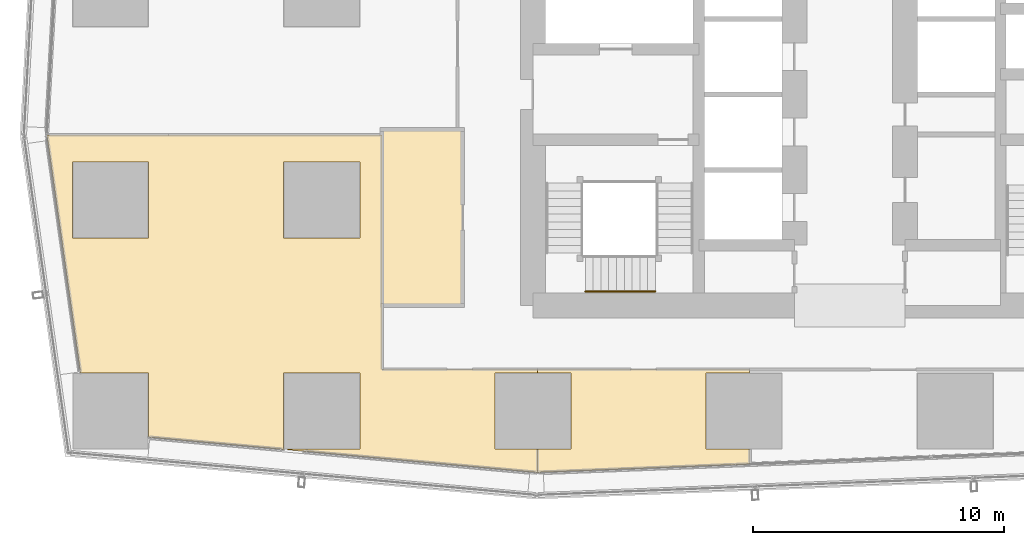
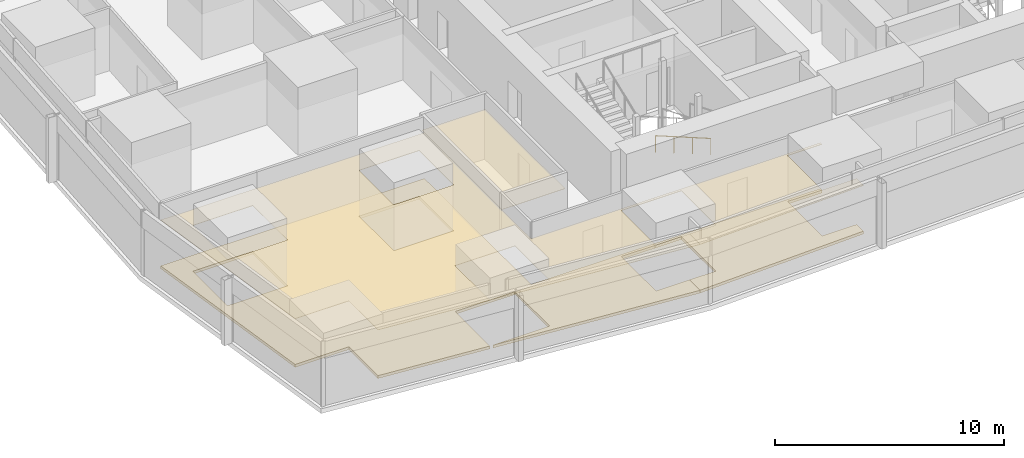
# One storey, part 33 of 39: 5 coverings, 1 railing.
"""IFC4 building model written with IfcOpenShell, lengths in metres."""

import ifcopenshell
import ifcopenshell.guid

model = None  # the IFC model being written
_history = None  # IfcOwnerHistory: only IFC2X3 demands one
_inside = {}  # id of a spatial element -> (the spatial element, [elements in it])
_under = {}  # id of a project, library or spatial element -> (it, [spatial elements below it])
_declared = {}  # id of a project -> (the project, [libraries it declares])
_typed = {}  # id of a type object -> (the type object, [elements of that type])
_made_of = {}  # id of a material, layer set ... -> (it, [elements and type objects made of it])


def new_model(schema):
    """Start an empty IFC model of exactly this schema.

    Asked for "IFC4X3", IfcOpenShell would pick the latest addendum, in which some entities
    have other attributes; the version numbers below select the first issue.
    IFC2X3 requires an IfcOwnerHistory on every rooted entity: one is made here for all.
    """
    global model, _history
    if schema == "IFC4X3":
        model = ifcopenshell.file(schema_version=(4, 3, 0, 0))
    else:
        model = ifcopenshell.file(schema=schema)
    _inside.clear()
    _under.clear()
    _declared.clear()
    _typed.clear()
    _made_of.clear()
    _history = None
    if model.schema == "IFC2X3":
        org = make("IfcOrganization", Name="unknown")
        user = make(
            "IfcPersonAndOrganization",
            ThePerson=make("IfcPerson", FamilyName="unknown"),
            TheOrganization=org,
        )
        app = make(
            "IfcApplication",
            ApplicationDeveloper=org,
            Version="unknown",
            ApplicationFullName="unknown",
            ApplicationIdentifier="unknown",
        )
        _history = make(
            "IfcOwnerHistory",
            OwningUser=user,
            OwningApplication=app,
            ChangeAction="ADDED",
            CreationDate=0,
        )
    return model


def make(cls, **values):
    """One entity of the class cls with the attributes given. An attribute that is None is left unset."""
    return model.create_entity(
        cls, **{name: value for name, value in values.items() if value is not None}
    )


def rooted(cls, **values):
    """An entity with a GlobalId (a new one), such as an element, a storey or a relation."""
    return make(cls, GlobalId=ifcopenshell.guid.new(), OwnerHistory=_history, **values)


def si_unit(unit_type, name, prefix=None):
    """IfcSIUnit, for example si_unit("LENGTHUNIT", "METRE", prefix="MILLI")."""
    return make("IfcSIUnit", UnitType=unit_type, Prefix=prefix, Name=name)


def assignment(units):
    """IfcUnitAssignment: the units of a project."""
    return None if units is None else make("IfcUnitAssignment", Units=units)


def point(xyz):
    """IfcCartesianPoint."""
    return None if xyz is None else make("IfcCartesianPoint", Coordinates=xyz)


def direction(xyz):
    """IfcDirection."""
    return None if xyz is None else make("IfcDirection", DirectionRatios=xyz)


def frame(location, z_axis=None, x_axis=None):
    """IfcAxis2Placement3D, a coordinate frame: its origin and axes. An axis left out is left unset."""
    return make(
        "IfcAxis2Placement3D",
        Location=point(location),
        Axis=direction(z_axis),
        RefDirection=direction(x_axis),
    )


def frame_2d(location, x_axis=None):
    """IfcAxis2Placement2D, a coordinate frame in the plane: its origin and x axis."""
    return make(
        "IfcAxis2Placement2D", Location=point(location), RefDirection=direction(x_axis)
    )


def origin():
    """The frame at (0, 0, 0) with its axes left unset."""
    return frame((0.0, 0.0, 0.0))


def origin_2d():
    """The frame at (0, 0) in the plane with its x axis left unset."""
    return frame_2d((0.0, 0.0))


def place(relative_to, where):
    """IfcLocalPlacement: puts the frame where relative to a parent placement (None: the world)."""
    return make(
        "IfcLocalPlacement", PlacementRelTo=relative_to, RelativePlacement=where
    )


def context(
    kind, dimensions, precision=None, world=None, true_north=None, identifier=None
):
    """IfcGeometricRepresentationContext, for example the 3D "Model" context."""
    return make(
        "IfcGeometricRepresentationContext",
        ContextIdentifier=identifier,
        ContextType=kind,
        CoordinateSpaceDimension=dimensions,
        Precision=precision,
        WorldCoordinateSystem=world,
        TrueNorth=true_north,
    )


def subcontext(parent, identifier, kind, view, scale=None):
    """IfcGeometricRepresentationSubContext, for example "Body" below "Model"."""
    return make(
        "IfcGeometricRepresentationSubContext",
        ContextIdentifier=identifier,
        ContextType=kind,
        ParentContext=parent,
        TargetScale=scale,
        TargetView=view,
    )


def project(units=None, contexts=None):
    """IfcProject with its units and contexts."""
    return rooted(
        "IfcProject",
        Name="project",
        RepresentationContexts=contexts,
        UnitsInContext=assignment(units),
    )


def spatial(cls, under=None, at=None, **own):
    """A site, building, storey or space (cls), placed at a placement, below another one or the project."""
    s = rooted(cls, ObjectPlacement=at, **own)
    if under is not None:
        _under.setdefault(under.id(), (under, []))[1].append(s)
    return s


def polyline(points):
    """IfcPolyline through the points."""
    return make("IfcPolyline", Points=[point(p) for p in points])


def profile(cls, at=None, kind="AREA", **sizes):
    """A parametric profile (cls). Its sizes go by their IFC names, for example OverallWidth=200.0."""
    return make(cls, ProfileType=kind, Position=at, **sizes)


def circle(**sizes):
    """IfcCircleProfileDef."""
    return profile("IfcCircleProfileDef", **sizes)


def outline(outer, holes=None, kind="AREA"):
    """IfcArbitraryClosedProfileDef: a profile drawn as a closed curve; with holes, ...WithVoids."""
    if holes is None:
        return make("IfcArbitraryClosedProfileDef", ProfileType=kind, OuterCurve=outer)
    return make(
        "IfcArbitraryProfileDefWithVoids",
        ProfileType=kind,
        OuterCurve=outer,
        InnerCurves=holes,
    )


def extrude(swept, where, along, depth):
    """IfcExtrudedAreaSolid: the profile swept, set in the frame where, extruded along a direction by depth."""
    return make(
        "IfcExtrudedAreaSolid",
        SweptArea=swept,
        Position=where,
        ExtrudedDirection=direction(along),
        Depth=depth,
    )


def shape(context_of_items, identifier, shape_type, items):
    """IfcShapeRepresentation: the items that make up one representation, for example the "Body"."""
    return make(
        "IfcShapeRepresentation",
        ContextOfItems=context_of_items,
        RepresentationIdentifier=identifier,
        RepresentationType=shape_type,
        Items=items,
    )


def material(Name=None, Category=None):
    """IfcMaterial."""
    return make("IfcMaterial", Name=Name, Category=Category)


def layer(
    of_material, thickness, ventilated=None, Name=None, Category=None, Priority=None
):
    """IfcMaterialLayer: one layer of a wall or slab, of a material (None: an air gap)."""
    return make(
        "IfcMaterialLayer",
        Material=of_material,
        LayerThickness=thickness,
        IsVentilated=ventilated,
        Name=Name,
        Category=Category,
        Priority=Priority,
    )


def layer_set(layers, Name=None):
    """IfcMaterialLayerSet."""
    return make("IfcMaterialLayerSet", MaterialLayers=layers, LayerSetName=Name)


def made_of(thing, what):
    """Note that an element or type object is made of a material, layer set ...; save() writes the relation."""
    if what is not None:
        _made_of.setdefault(what.id(), (what, []))[1].append(thing)
    return thing


def type_object(cls, material=None, **own):
    """A type object (cls), such as IfcWallType, which elements share."""
    return made_of(rooted(cls, **own), material)


def element(
    cls,
    number,
    at=None,
    inside=None,
    cuts=None,
    type_object=None,
    material=None,
    context=None,
    identifier="Body",
    shape_type=None,
    held_by="IfcProductDefinitionShape",
    body=None,
    shapes=None,
    **own,
):
    """One element of the class cls, such as IfcWall. Its Tag is "e" and its number.

    at: its placement. inside: the storey or other place that contains it. cuts: it is an
    opening in that element (IfcRelVoidsElement). A single representation is given by context,
    identifier, shape_type and body (its items); several are given by shapes. held_by: the class
    of the entity that holds the representations. save() writes the other relations.
    """
    e = rooted(cls, Tag="e%d" % number, ObjectPlacement=at, **own)
    if body is not None:
        shapes = [shape(context, identifier, shape_type, body)]
    if shapes is not None:
        e.Representation = make(held_by, Representations=shapes)
    if inside is not None:
        _inside.setdefault(inside.id(), (inside, []))[1].append(e)
    if cuts is not None:
        rooted(
            "IfcRelVoidsElement", RelatingBuildingElement=cuts, RelatedOpeningElement=e
        )
    if type_object is not None:
        _typed.setdefault(type_object.id(), (type_object, []))[1].append(e)
    return made_of(e, material)


def aggregate(whole, parts):
    """IfcRelAggregates: a whole, such as a stair, and the parts it consists of."""
    return rooted("IfcRelAggregates", RelatingObject=whole, RelatedObjects=parts)


def save(model, path):
    """Write the relations noted so far, then the file.

    IfcRelAggregates (storeys below a building ...), IfcRelContainedInSpatialStructure (elements
    in a storey), IfcRelDefinesByType, IfcRelAssociatesMaterial and IfcRelDeclares: one each for
    every whole, place, type object, material and project.
    """
    for whole, parts in _under.values():
        aggregate(whole, parts)
    for where, things in _inside.values():
        rooted(
            "IfcRelContainedInSpatialStructure",
            RelatedElements=things,
            RelatingStructure=where,
        )
    for kind, things in _typed.values():
        rooted("IfcRelDefinesByType", RelatedObjects=things, RelatingType=kind)
    for what, things in _made_of.values():
        rooted("IfcRelAssociatesMaterial", RelatedObjects=things, RelatingMaterial=what)
    for by, libraries in _declared.values():
        rooted("IfcRelDeclares", RelatingContext=by, RelatedDefinitions=libraries)
    model.write(path)


model = new_model("IFC4")

# Units and contexts
model_context = context("Model", 3, precision=1e-05, world=origin(), true_north=direction((0.0, 1.0)))
body_context = subcontext(model_context, "Body", "Model", "MODEL_VIEW")
ifc_project = project(units=[si_unit("LENGTHUNIT", "METRE"), si_unit("AREAUNIT", "SQUARE_METRE"), si_unit("VOLUMEUNIT", "CUBIC_METRE"), si_unit("PLANEANGLEUNIT", "RADIAN"), si_unit("MASSUNIT", "GRAM", prefix="KILO")], contexts=[model_context])

# Site, building, storey
site_placement = place(None, origin())
site = spatial("IfcSite", under=ifc_project, at=site_placement, CompositionType="ELEMENT")
building_placement = place(site_placement, origin())
building = spatial("IfcBuilding", under=site, at=building_placement, Name="Rekha Terrace Tower", CompositionType="ELEMENT")
storey_placement = place(building_placement, frame((0.0, 0.0, 155.300048828125)))
storey = spatial("IfcBuildingStorey", under=building, at=storey_placement, Name="L39", CompositionType="ELEMENT", Elevation=155.300048828125)

# Coverings
ifc_material_1 = material(Name="Mineral fibre tile in exposed grid", Category="finish")
ifc_layer_1 = layer(ifc_material_1, 0.02001953125)
ifc_layer_set_1 = layer_set([ifc_layer_1], Name="Mineral fibre tile in exposed grid")
covering_type_1 = type_object("IfcCoveringType", Name="CL1 600x1200 office grid ceiling", PredefinedType="CEILING", material=ifc_layer_set_1)
covering_1_placement = place(storey_placement, frame((0.0, 0.0, 2.579833984375)))
element("IfcCovering", 1, at=covering_1_placement, inside=storey, type_object=covering_type_1, Name="Ceiling L39-10", PredefinedType="CEILING", context=body_context, shape_type="SweptSolid", body=[
    extrude(outline(polyline([(15.239990234375, 15.280029296875), (15.284912109375, 15.27587890625), (15.284912109375, 18.31494140625), (18.31494140625, 18.31494140625), (18.31494140625, 15.284912109375), (15.44091796875, 15.284912109375), (15.43994140625, 15.261962890625), (25.37890625, 14.35888671875), (25.37890625, 15.284912109375), (23.68505859375, 15.284912109375), (23.68505859375, 18.31494140625), (25.37890625, 18.31494140625), (25.37890625, 18.449951171875), (19.199951171875, 18.449951171875), (19.199951171875, 27.781005859375), (5.867919921875, 27.781005859375), (7.202880859375, 18.31494140625), (9.9150390625, 18.31494140625), (9.9150390625, 15.763916015625), (15.199951171875, 15.283935546875), (15.239990234375, 15.280029296875)]), holes=[polyline([(18.31494140625, 26.715087890625), (18.31494140625, 23.68505859375), (15.284912109375, 23.68505859375), (15.284912109375, 26.715087890625), (18.31494140625, 26.715087890625)]), polyline([(9.9150390625, 23.68505859375), (6.885009765625, 23.68505859375), (6.885009765625, 26.715087890625), (9.9150390625, 26.715087890625), (9.9150390625, 23.68505859375)])]), origin(), (0.0, 0.0, 1.0), 0.02001953125),
])
covering_2_placement = place(storey_placement, frame((0.0, 0.0, 2.579833984375)))
element("IfcCovering", 2, at=covering_2_placement, inside=storey, type_object=covering_type_1, Name="Ceiling L39-11", PredefinedType="CEILING", context=body_context, shape_type="SweptSolid", body=[
    extrude(outline(polyline([(25.3798828125, 15.284912109375), (25.3798828125, 14.363037109375), (33.824951171875, 14.69189453125), (33.824951171875, 15.284912109375), (32.0849609375, 15.284912109375), (32.0849609375, 18.31494140625), (33.824951171875, 18.31494140625), (33.824951171875, 18.449951171875), (25.3798828125, 18.449951171875), (25.3798828125, 18.31494140625), (26.715087890625, 18.31494140625), (26.715087890625, 15.284912109375), (25.3798828125, 15.284912109375)])), origin(), (0.0, 0.0, 1.0), 0.02001953125),
])
ifc_material_2 = material(Name="Fibre cement board", Category="finish")
ifc_layer_2 = layer(ifc_material_2, 0.014892578125)
ifc_layer_set_2 = layer_set([ifc_layer_2], Name="Fibre cement board")
covering_type_2 = type_object("IfcCoveringType", Name="CL2 moisture-resistant board ceiling", PredefinedType="CEILING", material=ifc_layer_set_2)
covering_3_placement = place(storey_placement, frame((0.0, 0.0, 2.5849609375)))
element("IfcCovering", 3, at=covering_3_placement, inside=storey, type_object=covering_type_2, Name="Ceiling L39-WCM", PredefinedType="CEILING", context=body_context, shape_type="SweptSolid", body=[
    extrude(outline(polyline([(22.39990234375, 28.0), (19.199951171875, 28.0), (19.199951171875, 21.0), (22.39990234375, 21.0), (22.39990234375, 28.0)])), origin(), (0.0, 0.0, 1.0), 0.014892578125),
])

# Railing
ifc_material_3 = material(Name="Stainless steel tube", Category="steel")
railing_type = type_object("IfcRailingType", Name="HR1 900 stair handrail", PredefinedType="HANDRAIL", material=ifc_material_3)
railing_placement = place(storey_placement, frame((30.074951171875, 21.56005859375, 1.375)))
element("IfcRailing", 4, at=railing_placement, inside=storey, type_object=railing_type, Name="Handrail ST1 L39 flight 2", PredefinedType="HANDRAIL", context=body_context, shape_type="SweptSolid", body=[
    extrude(circle(Radius=0.02392578125, at=origin_2d()), frame((0.0, 0.0, 0.8759765625), z_axis=(-0.927443287984, 0.0, 0.373963831907), x_axis=(0.0, -1.0, 0.0)), (0.0, 0.0, 1.0), 3.00830078125),
    extrude(circle(Radius=0.02099609375, at=origin_2d()), origin(), (0.0, 0.0, 1.0), 0.851806640625),
    extrude(circle(Radius=0.02099609375, at=origin_2d()), frame((-0.929931640625, 0.0, 0.375)), (0.0, 0.0, 1.0), 0.851806640625),
    extrude(circle(Radius=0.02099609375, at=origin_2d()), frame((-1.860107421875, 0.0, 0.75)), (0.0, 0.0, 1.0), 0.851806640625),
    extrude(circle(Radius=0.02099609375, at=origin_2d()), frame((-2.7900390625, 0.0, 1.125)), (0.0, 0.0, 1.0), 0.851806640625),
])

# Coverings
ifc_material_4 = material(Name="Calcium sulphate panels on steel pedestals", Category="steel")
ifc_layer_3 = layer(ifc_material_4, 0.14990234375)
ifc_layer_set_3 = layer_set([ifc_layer_3], Name="Calcium sulphate panels on steel pedestals")
covering_type_3 = type_object("IfcCoveringType", Name="RF1 150 raised access floor", PredefinedType="FLOORING", material=ifc_layer_set_3)
covering_4_placement = place(storey_placement, origin())
element("IfcCovering", 5, at=covering_4_placement, inside=storey, type_object=covering_type_3, Name="Raised floor L39-10", PredefinedType="FLOORING", context=body_context, shape_type="SweptSolid", body=[
    extrude(outline(polyline([(15.239990234375, 15.280029296875), (15.284912109375, 15.27587890625), (15.284912109375, 18.31494140625), (18.31494140625, 18.31494140625), (18.31494140625, 15.284912109375), (15.44091796875, 15.284912109375), (15.43994140625, 15.261962890625), (25.37890625, 14.35888671875), (25.37890625, 15.284912109375), (23.68505859375, 15.284912109375), (23.68505859375, 18.31494140625), (25.37890625, 18.31494140625), (25.37890625, 18.449951171875), (19.199951171875, 18.449951171875), (19.199951171875, 27.781005859375), (5.867919921875, 27.781005859375), (7.202880859375, 18.31494140625), (9.9150390625, 18.31494140625), (9.9150390625, 15.763916015625), (15.199951171875, 15.283935546875), (15.239990234375, 15.280029296875)]), holes=[polyline([(18.31494140625, 26.715087890625), (18.31494140625, 23.68505859375), (15.284912109375, 23.68505859375), (15.284912109375, 26.715087890625), (18.31494140625, 26.715087890625)]), polyline([(9.9150390625, 23.68505859375), (6.885009765625, 23.68505859375), (6.885009765625, 26.715087890625), (9.9150390625, 26.715087890625), (9.9150390625, 23.68505859375)])]), origin(), (0.0, 0.0, 1.0), 0.14990234375),
])
covering_5_placement = place(storey_placement, origin())
element("IfcCovering", 6, at=covering_5_placement, inside=storey, type_object=covering_type_3, Name="Raised floor L39-11", PredefinedType="FLOORING", context=body_context, shape_type="SweptSolid", body=[
    extrude(outline(polyline([(25.3798828125, 15.284912109375), (25.3798828125, 14.363037109375), (33.824951171875, 14.69189453125), (33.824951171875, 15.284912109375), (32.0849609375, 15.284912109375), (32.0849609375, 18.31494140625), (33.824951171875, 18.31494140625), (33.824951171875, 18.449951171875), (25.3798828125, 18.449951171875), (25.3798828125, 18.31494140625), (26.715087890625, 18.31494140625), (26.715087890625, 15.284912109375), (25.3798828125, 15.284912109375)])), origin(), (0.0, 0.0, 1.0), 0.14990234375),
])

save(model, "model.ifc")
